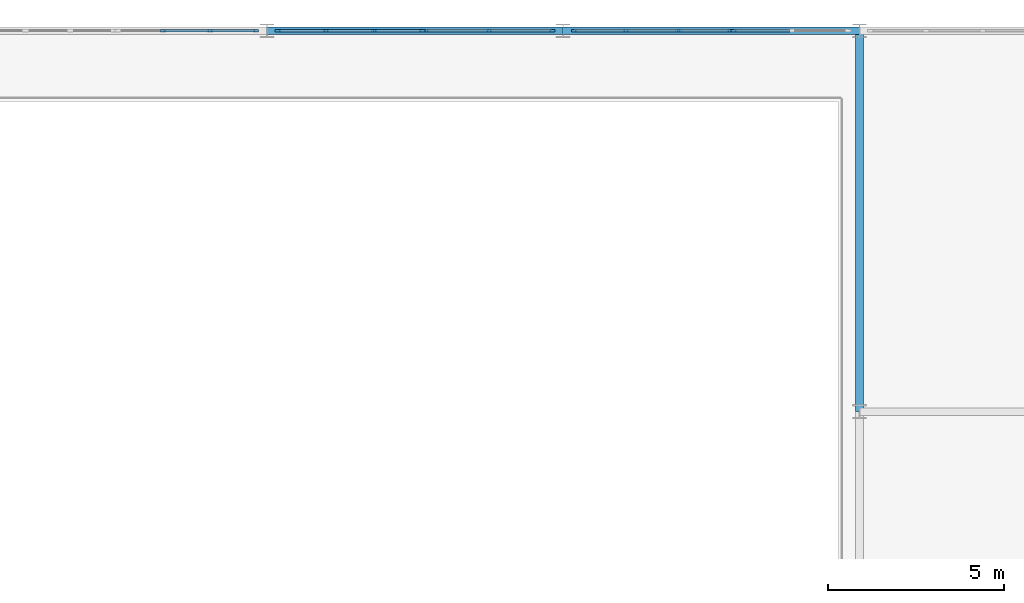
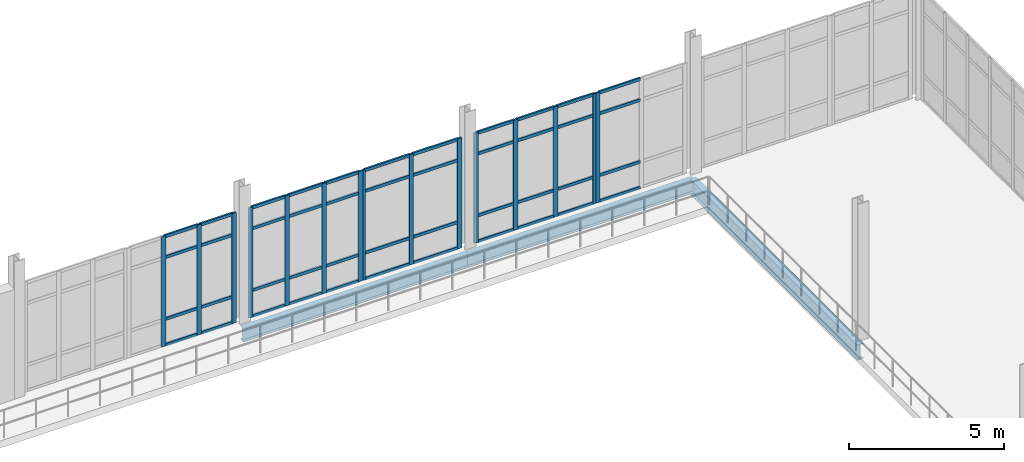
# One storey, part 59 of 111: 59 members, 3 beams, 5 elements without a shape of their own.
"""IFC4 building model written with IfcOpenShell, lengths in metres."""

from ifc_helpers import new_model, si_unit, direction, frame, origin, origin_2d, place, context, subcontext, project, spatial, rectangle, i_section, extrude, material, layer, layer_set, material_profile, profile_set, type_object, element, aggregate, save


model = new_model("IFC4")

# Units and contexts
model_context = context("Model", 3, precision=1e-05, world=origin(), true_north=direction((0.0, 1.0)))
body_context = subcontext(model_context, "Body", "Model", "MODEL_VIEW")
ifc_project = project(units=[si_unit("LENGTHUNIT", "METRE"), si_unit("AREAUNIT", "SQUARE_METRE"), si_unit("VOLUMEUNIT", "CUBIC_METRE"), si_unit("PLANEANGLEUNIT", "RADIAN"), si_unit("MASSUNIT", "GRAM", prefix="KILO"), si_unit("THERMODYNAMICTEMPERATUREUNIT", "KELVIN"), si_unit("POWERUNIT", "WATT")], contexts=[model_context])

# Site, building, storey
site_placement = place(None, origin())
site = spatial("IfcSite", under=ifc_project, at=site_placement, CompositionType="ELEMENT")
building_placement = place(site_placement, origin())
building = spatial("IfcBuilding", under=site, at=building_placement, Name="Tembeka Court Mobility Hub", CompositionType="ELEMENT")
storey_placement = place(building_placement, origin())
storey = spatial("IfcBuildingStorey", under=building, at=storey_placement, Name="L00", CompositionType="ELEMENT", Elevation=0.0)

# Beams
ifc_material_1 = material(Name="Steel S355", Category="steel")
ifc_material_profile_1 = material_profile(ifc_material_1, i_section(OverallWidth=0.22900390625, OverallDepth=0.612060546875, WebThickness=0.011962890625, FlangeThickness=0.01953125, FilletRadius=0.0126953125, at=origin_2d()), Name="UKB 610x229x125")
ifc_profile_set_1 = profile_set([ifc_material_profile_1], Name="Steel S355")
beam_type_1 = type_object("IfcBeamType", Name="BM-G02", PredefinedType="USERDEFINED", material=ifc_profile_set_1)
beam_1_placement = place(storey_placement, frame((84.0, 108.0, -0.5859375), z_axis=(0.0, 1.0, 0.0), x_axis=(-1.0, 0.0, 0.0)))
element("IfcBeam", 1, at=beam_1_placement, inside=storey, type_object=beam_type_1, Name="Beam G02 (BM-L00-Y0257)", ObjectType="GIRDER", PredefinedType="USERDEFINED", context=body_context, shape_type="SweptSolid", body=[
    extrude(i_section(OverallWidth=0.22900390625, OverallDepth=0.612060546875, WebThickness=0.011962890625, FlangeThickness=0.01953125, FilletRadius=0.0126953125, at=origin_2d()), origin(), (0.0, 0.0, 1.0), 10.800048828125),
])
ifc_material_profile_2 = material_profile(ifc_material_1, i_section(OverallWidth=0.2099609375, OverallDepth=0.537109375, WebThickness=0.0107421875, FlangeThickness=0.017333984375, FilletRadius=0.0126953125, at=origin_2d()), Name="UKB 533x210x101")
ifc_profile_set_2 = profile_set([ifc_material_profile_2], Name="Steel S355")
beam_type_2 = type_object("IfcBeamType", Name="BM-G03", PredefinedType="USERDEFINED", material=ifc_profile_set_2)
beam_2_placement = place(storey_placement, frame((67.199951171875, 118.800048828125, -0.548583984375), z_axis=(1.0, 0.0, 0.0), x_axis=(0.0, 1.0, 0.0)))
element("IfcBeam", 2, at=beam_2_placement, inside=storey, type_object=beam_type_2, Name="Beam G03 (BM-L00-X0160)", ObjectType="GIRDER", PredefinedType="USERDEFINED", context=body_context, shape_type="SweptSolid", body=[
    extrude(i_section(OverallWidth=0.2099609375, OverallDepth=0.537109375, WebThickness=0.0107421875, FlangeThickness=0.017333984375, FilletRadius=0.0126953125, at=origin_2d()), origin(), (0.0, 0.0, 1.0), 8.400146484375),
])
beam_3_placement = place(storey_placement, frame((75.60009765625, 118.800048828125, -0.548583984375), z_axis=(1.0, 0.0, 0.0), x_axis=(0.0, 1.0, 0.0)))
element("IfcBeam", 3, at=beam_3_placement, inside=storey, type_object=beam_type_2, Name="Beam G03 (BM-L00-X0161)", ObjectType="GIRDER", PredefinedType="USERDEFINED", context=body_context, shape_type="SweptSolid", body=[
    extrude(i_section(OverallWidth=0.2099609375, OverallDepth=0.537109375, WebThickness=0.0107421875, FlangeThickness=0.017333984375, FilletRadius=0.0126953125, at=origin_2d()), origin(), (0.0, 0.0, 1.0), 8.39990234375),
])

# Curtain wall, members
ifc_material_2 = material(Name="Anodised aluminium 6063-T6", Category="aluminium")
ifc_layer_1 = layer(ifc_material_2, 0.159912109375)
ifc_layer_set_1 = layer_set([ifc_layer_1], Name="Anodised aluminium 6063-T6")
curtain_wall_type_1 = type_object("IfcCurtainWallType", Name="CW-SYS13", PredefinedType="USERDEFINED", material=ifc_layer_set_1)
curtain_wall_1_placement = place(storey_placement, origin())
curtain_wall_1 = element("IfcCurtainWall", 4, at=curtain_wall_1_placement, inside=storey, type_object=curtain_wall_type_1, Name="Unitised curtain wall CW13 (CW-L00-015)", ObjectType="UNITISED GLAZING", PredefinedType="USERDEFINED")
ifc_material_profile_3 = material_profile(ifc_material_2, rectangle(XDim=0.06494140625, YDim=0.159912109375, at=origin_2d()), Name="ALU-MUL 65x160")
ifc_profile_set_3 = profile_set([ifc_material_profile_3], Name="Anodised aluminium 6063-T6")
member_type_1 = type_object("IfcMemberType", Name="CW-MUL01", PredefinedType="MULLION", material=ifc_profile_set_3)
member_1_placement = place(storey_placement, frame((64.263916015625, 118.800048828125, 0.0), z_axis=(0.0, 0.0, 1.0), x_axis=(0.0, 1.0, 0.0)))
member_1 = element("IfcMember", 5, at=member_1_placement, type_object=member_type_1, Name="CW13 mullion 2", PredefinedType="MULLION", context=body_context, shape_type="SweptSolid", body=[
    extrude(rectangle(XDim=0.06494140625, YDim=0.159912109375, at=origin_2d()), origin(), (0.0, 0.0, 1.0), 4.3349609375),
])
member_2_placement = place(storey_placement, frame((65.592041015625, 118.800048828125, 0.0), z_axis=(0.0, 0.0, 1.0), x_axis=(0.0, 1.0, 0.0)))
member_2 = element("IfcMember", 6, at=member_2_placement, type_object=member_type_1, Name="CW13 mullion 3", PredefinedType="MULLION", context=body_context, shape_type="SweptSolid", body=[
    extrude(rectangle(XDim=0.06494140625, YDim=0.159912109375, at=origin_2d()), origin(), (0.0, 0.0, 1.0), 4.3349609375),
])
member_3_placement = place(storey_placement, frame((66.887451171875, 118.800048828125, 0.0), z_axis=(0.0, 0.0, 1.0), x_axis=(0.0, 1.0, 0.0)))
member_3 = element("IfcMember", 7, at=member_3_placement, type_object=member_type_1, Name="CW13 mullion 4", PredefinedType="MULLION", context=body_context, shape_type="SweptSolid", body=[
    extrude(rectangle(XDim=0.06494140625, YDim=0.159912109375, at=origin_2d()), origin(), (0.0, 0.0, 1.0), 4.3349609375),
])

ifc_layer_2 = layer(ifc_material_2, 0.159912109375)
ifc_layer_set_2 = layer_set([ifc_layer_2], Name="Anodised aluminium 6063-T6")
curtain_wall_type_2 = type_object("IfcCurtainWallType", Name="CW-SYS14", PredefinedType="USERDEFINED", material=ifc_layer_set_2)
curtain_wall_2_placement = place(storey_placement, origin())
curtain_wall_2 = element("IfcCurtainWall", 8, at=curtain_wall_2_placement, inside=storey, type_object=curtain_wall_type_2, Name="Unitised curtain wall CW14 (CW-L00-016)", ObjectType="UNITISED GLAZING", PredefinedType="USERDEFINED")
member_4_placement = place(storey_placement, frame((67.512451171875, 118.800048828125, 0.0), z_axis=(0.0, 0.0, 1.0), x_axis=(0.0, 1.0, 0.0)))
member_4 = element("IfcMember", 9, at=member_4_placement, type_object=member_type_1, Name="CW14 mullion 1", PredefinedType="MULLION", context=body_context, shape_type="SweptSolid", body=[
    extrude(rectangle(XDim=0.06494140625, YDim=0.159912109375, at=origin_2d()), origin(), (0.0, 0.0, 1.0), 4.3349609375),
])
member_5_placement = place(storey_placement, frame((68.864013671875, 118.800048828125, 0.0), z_axis=(0.0, 0.0, 1.0), x_axis=(0.0, 1.0, 0.0)))
member_5 = element("IfcMember", 10, at=member_5_placement, type_object=member_type_1, Name="CW14 mullion 2", PredefinedType="MULLION", context=body_context, shape_type="SweptSolid", body=[
    extrude(rectangle(XDim=0.06494140625, YDim=0.159912109375, at=origin_2d()), origin(), (0.0, 0.0, 1.0), 4.3349609375),
])
member_6_placement = place(storey_placement, frame((70.248046875, 118.800048828125, 0.0), z_axis=(0.0, 0.0, 1.0), x_axis=(0.0, 1.0, 0.0)))
member_6 = element("IfcMember", 11, at=member_6_placement, type_object=member_type_1, Name="CW14 mullion 3", PredefinedType="MULLION", context=body_context, shape_type="SweptSolid", body=[
    extrude(rectangle(XDim=0.06494140625, YDim=0.159912109375, at=origin_2d()), origin(), (0.0, 0.0, 1.0), 4.3349609375),
])
member_7_placement = place(storey_placement, frame((71.599609375, 118.800048828125, 0.0), z_axis=(0.0, 0.0, 1.0), x_axis=(0.0, 1.0, 0.0)))
member_7 = element("IfcMember", 12, at=member_7_placement, type_object=member_type_1, Name="CW14 mullion 4", PredefinedType="MULLION", context=body_context, shape_type="SweptSolid", body=[
    extrude(rectangle(XDim=0.06494140625, YDim=0.159912109375, at=origin_2d()), origin(), (0.0, 0.0, 1.0), 4.3349609375),
])

ifc_layer_3 = layer(ifc_material_2, 0.159912109375)
ifc_layer_set_3 = layer_set([ifc_layer_3], Name="Anodised aluminium 6063-T6")
curtain_wall_type_3 = type_object("IfcCurtainWallType", Name="CW-SYS15", PredefinedType="USERDEFINED", material=ifc_layer_set_3)
curtain_wall_3_placement = place(storey_placement, origin())
curtain_wall_3 = element("IfcCurtainWall", 13, at=curtain_wall_3_placement, inside=storey, type_object=curtain_wall_type_3, Name="Unitised curtain wall CW15 (CW-L00-017)", ObjectType="UNITISED GLAZING", PredefinedType="USERDEFINED")
member_8_placement = place(storey_placement, frame((71.70458984375, 118.800048828125, 0.0), z_axis=(0.0, 0.0, 1.0), x_axis=(0.0, 1.0, 0.0)))
member_8 = element("IfcMember", 14, at=member_8_placement, type_object=member_type_1, Name="CW15 mullion 1", PredefinedType="MULLION", context=body_context, shape_type="SweptSolid", body=[
    extrude(rectangle(XDim=0.06494140625, YDim=0.159912109375, at=origin_2d()), origin(), (0.0, 0.0, 1.0), 4.3349609375),
])
member_9_placement = place(storey_placement, frame((73.49609375, 118.800048828125, 0.0), z_axis=(0.0, 0.0, 1.0), x_axis=(0.0, 1.0, 0.0)))
member_9 = element("IfcMember", 15, at=member_9_placement, type_object=member_type_1, Name="CW15 mullion 2", PredefinedType="MULLION", context=body_context, shape_type="SweptSolid", body=[
    extrude(rectangle(XDim=0.06494140625, YDim=0.159912109375, at=origin_2d()), origin(), (0.0, 0.0, 1.0), 4.3349609375),
])
member_10_placement = place(storey_placement, frame((75.28759765625, 118.800048828125, 0.0), z_axis=(0.0, 0.0, 1.0), x_axis=(0.0, 1.0, 0.0)))
member_10 = element("IfcMember", 16, at=member_10_placement, type_object=member_type_1, Name="CW15 mullion 3", PredefinedType="MULLION", context=body_context, shape_type="SweptSolid", body=[
    extrude(rectangle(XDim=0.06494140625, YDim=0.159912109375, at=origin_2d()), origin(), (0.0, 0.0, 1.0), 4.3349609375),
])

ifc_layer_4 = layer(ifc_material_2, 0.159912109375)
ifc_layer_set_4 = layer_set([ifc_layer_4], Name="Anodised aluminium 6063-T6")
curtain_wall_type_4 = type_object("IfcCurtainWallType", Name="CW-SYS03", PredefinedType="USERDEFINED", material=ifc_layer_set_4)
curtain_wall_4_placement = place(storey_placement, origin())
curtain_wall_4 = element("IfcCurtainWall", 17, at=curtain_wall_4_placement, inside=storey, type_object=curtain_wall_type_4, Name="Unitised curtain wall CW03 (CW-L00-018)", ObjectType="UNITISED GLAZING", PredefinedType="USERDEFINED")
member_11_placement = place(storey_placement, frame((75.91259765625, 118.800048828125, 0.0), z_axis=(0.0, 0.0, 1.0), x_axis=(0.0, 1.0, 0.0)))
member_11 = element("IfcMember", 18, at=member_11_placement, type_object=member_type_1, Name="CW03 mullion 1", PredefinedType="MULLION", context=body_context, shape_type="SweptSolid", body=[
    extrude(rectangle(XDim=0.06494140625, YDim=0.159912109375, at=origin_2d()), origin(), (0.0, 0.0, 1.0), 4.3349609375),
])
member_12_placement = place(storey_placement, frame((77.3759765625, 118.800048828125, 0.0), z_axis=(0.0, 0.0, 1.0), x_axis=(0.0, 1.0, 0.0)))
member_12 = element("IfcMember", 19, at=member_12_placement, type_object=member_type_1, Name="CW03 mullion 2", PredefinedType="MULLION", context=body_context, shape_type="SweptSolid", body=[
    extrude(rectangle(XDim=0.06494140625, YDim=0.159912109375, at=origin_2d()), origin(), (0.0, 0.0, 1.0), 4.3349609375),
])
member_13_placement = place(storey_placement, frame((78.8720703125, 118.800048828125, 0.0), z_axis=(0.0, 0.0, 1.0), x_axis=(0.0, 1.0, 0.0)))
member_13 = element("IfcMember", 20, at=member_13_placement, type_object=member_type_1, Name="CW03 mullion 3", PredefinedType="MULLION", context=body_context, shape_type="SweptSolid", body=[
    extrude(rectangle(XDim=0.06494140625, YDim=0.159912109375, at=origin_2d()), origin(), (0.0, 0.0, 1.0), 4.3349609375),
])
member_14_placement = place(storey_placement, frame((80.33544921875, 118.800048828125, 0.0), z_axis=(0.0, 0.0, 1.0), x_axis=(0.0, 1.0, 0.0)))
member_14 = element("IfcMember", 21, at=member_14_placement, type_object=member_type_1, Name="CW03 mullion 4", PredefinedType="MULLION", context=body_context, shape_type="SweptSolid", body=[
    extrude(rectangle(XDim=0.06494140625, YDim=0.159912109375, at=origin_2d()), origin(), (0.0, 0.0, 1.0), 4.3349609375),
])

# Curtain wall, member
ifc_layer_5 = layer(ifc_material_2, 0.159912109375)
ifc_layer_set_5 = layer_set([ifc_layer_5], Name="Anodised aluminium 6063-T6")
curtain_wall_type_5 = type_object("IfcCurtainWallType", Name="CW-SYS02", PredefinedType="USERDEFINED", material=ifc_layer_set_5)
curtain_wall_5_placement = place(storey_placement, origin())
curtain_wall_5 = element("IfcCurtainWall", 22, at=curtain_wall_5_placement, inside=storey, type_object=curtain_wall_type_5, Name="Unitised curtain wall CW02 (CW-L00-019)", ObjectType="UNITISED GLAZING", PredefinedType="USERDEFINED")
member_15_placement = place(storey_placement, frame((80.4404296875, 118.800048828125, 0.0), z_axis=(0.0, 0.0, 1.0), x_axis=(0.0, 1.0, 0.0)))
member_15 = element("IfcMember", 23, at=member_15_placement, type_object=member_type_1, Name="CW02 mullion 1", PredefinedType="MULLION", context=body_context, shape_type="SweptSolid", body=[
    extrude(rectangle(XDim=0.06494140625, YDim=0.159912109375, at=origin_2d()), origin(), (0.0, 0.0, 1.0), 4.3349609375),
])

# Member
ifc_material_profile_4 = material_profile(ifc_material_2, rectangle(XDim=0.06494140625, YDim=0.1201171875, at=origin_2d()), Name="ALU-TRN 65x120")
ifc_profile_set_4 = profile_set([ifc_material_profile_4], Name="Anodised aluminium 6063-T6")
member_type_2 = type_object("IfcMemberType", Name="CW-TRN01", PredefinedType="USERDEFINED", material=ifc_profile_set_4)
member_16_placement = place(storey_placement, frame((64.29638671875, 118.800048828125, 0.032470703125), z_axis=(1.0, 0.0, 0.0), x_axis=(0.0, 1.0, 0.0)))
member_16 = element("IfcMember", 24, at=member_16_placement, type_object=member_type_2, Name="CW13 transom 2.1", ObjectType="TRANSOM", PredefinedType="USERDEFINED", context=body_context, shape_type="SweptSolid", body=[
    extrude(rectangle(XDim=0.06494140625, YDim=0.1201171875, at=origin_2d()), origin(), (0.0, 0.0, 1.0), 1.26318359375),
])

member_17_placement = place(storey_placement, frame((64.29638671875, 118.800048828125, 1.050048828125), z_axis=(1.0, 0.0, 0.0), x_axis=(0.0, 1.0, 0.0)))
member_17 = element("IfcMember", 25, at=member_17_placement, type_object=member_type_2, Name="CW13 transom 2.2", ObjectType="TRANSOM", PredefinedType="USERDEFINED", context=body_context, shape_type="SweptSolid", body=[
    extrude(rectangle(XDim=0.06494140625, YDim=0.1201171875, at=origin_2d()), origin(), (0.0, 0.0, 1.0), 1.26318359375),
])

member_18_placement = place(storey_placement, frame((64.29638671875, 118.800048828125, 3.485107421875), z_axis=(1.0, 0.0, 0.0), x_axis=(0.0, 1.0, 0.0)))
member_18 = element("IfcMember", 26, at=member_18_placement, type_object=member_type_2, Name="CW13 transom 2.3", ObjectType="TRANSOM", PredefinedType="USERDEFINED", context=body_context, shape_type="SweptSolid", body=[
    extrude(rectangle(XDim=0.06494140625, YDim=0.1201171875, at=origin_2d()), origin(), (0.0, 0.0, 1.0), 1.26318359375),
])

member_19_placement = place(storey_placement, frame((64.29638671875, 118.800048828125, 4.302490234375), z_axis=(1.0, 0.0, 0.0), x_axis=(0.0, 1.0, 0.0)))
member_19 = element("IfcMember", 27, at=member_19_placement, type_object=member_type_2, Name="CW13 transom 2.4", ObjectType="TRANSOM", PredefinedType="USERDEFINED", context=body_context, shape_type="SweptSolid", body=[
    extrude(rectangle(XDim=0.06494140625, YDim=0.1201171875, at=origin_2d()), origin(), (0.0, 0.0, 1.0), 1.26318359375),
])

member_20_placement = place(storey_placement, frame((65.62451171875, 118.800048828125, 0.032470703125), z_axis=(1.0, 0.0, 0.0), x_axis=(0.0, 1.0, 0.0)))
member_20 = element("IfcMember", 28, at=member_20_placement, type_object=member_type_2, Name="CW13 transom 3.1", ObjectType="TRANSOM", PredefinedType="USERDEFINED", context=body_context, shape_type="SweptSolid", body=[
    extrude(rectangle(XDim=0.06494140625, YDim=0.1201171875, at=origin_2d()), origin(), (0.0, 0.0, 1.0), 1.23046875),
])

member_21_placement = place(storey_placement, frame((65.62451171875, 118.800048828125, 1.050048828125), z_axis=(1.0, 0.0, 0.0), x_axis=(0.0, 1.0, 0.0)))
member_21 = element("IfcMember", 29, at=member_21_placement, type_object=member_type_2, Name="CW13 transom 3.2", ObjectType="TRANSOM", PredefinedType="USERDEFINED", context=body_context, shape_type="SweptSolid", body=[
    extrude(rectangle(XDim=0.06494140625, YDim=0.1201171875, at=origin_2d()), origin(), (0.0, 0.0, 1.0), 1.23046875),
])

member_22_placement = place(storey_placement, frame((65.62451171875, 118.800048828125, 3.485107421875), z_axis=(1.0, 0.0, 0.0), x_axis=(0.0, 1.0, 0.0)))
member_22 = element("IfcMember", 30, at=member_22_placement, type_object=member_type_2, Name="CW13 transom 3.3", ObjectType="TRANSOM", PredefinedType="USERDEFINED", context=body_context, shape_type="SweptSolid", body=[
    extrude(rectangle(XDim=0.06494140625, YDim=0.1201171875, at=origin_2d()), origin(), (0.0, 0.0, 1.0), 1.23046875),
])

member_23_placement = place(storey_placement, frame((65.62451171875, 118.800048828125, 4.302490234375), z_axis=(1.0, 0.0, 0.0), x_axis=(0.0, 1.0, 0.0)))
member_23 = element("IfcMember", 31, at=member_23_placement, type_object=member_type_2, Name="CW13 transom 3.4", ObjectType="TRANSOM", PredefinedType="USERDEFINED", context=body_context, shape_type="SweptSolid", body=[
    extrude(rectangle(XDim=0.06494140625, YDim=0.1201171875, at=origin_2d()), origin(), (0.0, 0.0, 1.0), 1.23046875),
])

aggregate(curtain_wall_1, [member_1, member_2, member_3, member_16, member_17, member_18, member_19, member_20, member_21, member_22, member_23])

member_24_placement = place(storey_placement, frame((67.544921875, 118.800048828125, 0.032470703125), z_axis=(1.0, 0.0, 0.0), x_axis=(0.0, 1.0, 0.0)))
member_24 = element("IfcMember", 32, at=member_24_placement, type_object=member_type_2, Name="CW14 transom 1.1", ObjectType="TRANSOM", PredefinedType="USERDEFINED", context=body_context, shape_type="SweptSolid", body=[
    extrude(rectangle(XDim=0.06494140625, YDim=0.1201171875, at=origin_2d()), origin(), (0.0, 0.0, 1.0), 1.28662109375),
])

member_25_placement = place(storey_placement, frame((67.544921875, 118.800048828125, 1.050048828125), z_axis=(1.0, 0.0, 0.0), x_axis=(0.0, 1.0, 0.0)))
member_25 = element("IfcMember", 33, at=member_25_placement, type_object=member_type_2, Name="CW14 transom 1.2", ObjectType="TRANSOM", PredefinedType="USERDEFINED", context=body_context, shape_type="SweptSolid", body=[
    extrude(rectangle(XDim=0.06494140625, YDim=0.1201171875, at=origin_2d()), origin(), (0.0, 0.0, 1.0), 1.28662109375),
])

member_26_placement = place(storey_placement, frame((67.544921875, 118.800048828125, 3.485107421875), z_axis=(1.0, 0.0, 0.0), x_axis=(0.0, 1.0, 0.0)))
member_26 = element("IfcMember", 34, at=member_26_placement, type_object=member_type_2, Name="CW14 transom 1.3", ObjectType="TRANSOM", PredefinedType="USERDEFINED", context=body_context, shape_type="SweptSolid", body=[
    extrude(rectangle(XDim=0.06494140625, YDim=0.1201171875, at=origin_2d()), origin(), (0.0, 0.0, 1.0), 1.28662109375),
])

member_27_placement = place(storey_placement, frame((67.544921875, 118.800048828125, 4.302490234375), z_axis=(1.0, 0.0, 0.0), x_axis=(0.0, 1.0, 0.0)))
member_27 = element("IfcMember", 35, at=member_27_placement, type_object=member_type_2, Name="CW14 transom 1.4", ObjectType="TRANSOM", PredefinedType="USERDEFINED", context=body_context, shape_type="SweptSolid", body=[
    extrude(rectangle(XDim=0.06494140625, YDim=0.1201171875, at=origin_2d()), origin(), (0.0, 0.0, 1.0), 1.28662109375),
])

member_28_placement = place(storey_placement, frame((68.896484375, 118.800048828125, 0.032470703125), z_axis=(1.0, 0.0, 0.0), x_axis=(0.0, 1.0, 0.0)))
member_28 = element("IfcMember", 36, at=member_28_placement, type_object=member_type_2, Name="CW14 transom 2.1", ObjectType="TRANSOM", PredefinedType="USERDEFINED", context=body_context, shape_type="SweptSolid", body=[
    extrude(rectangle(XDim=0.06494140625, YDim=0.1201171875, at=origin_2d()), origin(), (0.0, 0.0, 1.0), 1.319091796875),
])

member_29_placement = place(storey_placement, frame((68.896484375, 118.800048828125, 1.050048828125), z_axis=(1.0, 0.0, 0.0), x_axis=(0.0, 1.0, 0.0)))
member_29 = element("IfcMember", 37, at=member_29_placement, type_object=member_type_2, Name="CW14 transom 2.2", ObjectType="TRANSOM", PredefinedType="USERDEFINED", context=body_context, shape_type="SweptSolid", body=[
    extrude(rectangle(XDim=0.06494140625, YDim=0.1201171875, at=origin_2d()), origin(), (0.0, 0.0, 1.0), 1.319091796875),
])

member_30_placement = place(storey_placement, frame((68.896484375, 118.800048828125, 3.485107421875), z_axis=(1.0, 0.0, 0.0), x_axis=(0.0, 1.0, 0.0)))
member_30 = element("IfcMember", 38, at=member_30_placement, type_object=member_type_2, Name="CW14 transom 2.3", ObjectType="TRANSOM", PredefinedType="USERDEFINED", context=body_context, shape_type="SweptSolid", body=[
    extrude(rectangle(XDim=0.06494140625, YDim=0.1201171875, at=origin_2d()), origin(), (0.0, 0.0, 1.0), 1.319091796875),
])

member_31_placement = place(storey_placement, frame((68.896484375, 118.800048828125, 4.302490234375), z_axis=(1.0, 0.0, 0.0), x_axis=(0.0, 1.0, 0.0)))
member_31 = element("IfcMember", 39, at=member_31_placement, type_object=member_type_2, Name="CW14 transom 2.4", ObjectType="TRANSOM", PredefinedType="USERDEFINED", context=body_context, shape_type="SweptSolid", body=[
    extrude(rectangle(XDim=0.06494140625, YDim=0.1201171875, at=origin_2d()), origin(), (0.0, 0.0, 1.0), 1.319091796875),
])

member_32_placement = place(storey_placement, frame((70.280517578125, 118.800048828125, 0.032470703125), z_axis=(1.0, 0.0, 0.0), x_axis=(0.0, 1.0, 0.0)))
member_32 = element("IfcMember", 40, at=member_32_placement, type_object=member_type_2, Name="CW14 transom 3.1", ObjectType="TRANSOM", PredefinedType="USERDEFINED", context=body_context, shape_type="SweptSolid", body=[
    extrude(rectangle(XDim=0.06494140625, YDim=0.1201171875, at=origin_2d()), origin(), (0.0, 0.0, 1.0), 1.286376953125),
])

member_33_placement = place(storey_placement, frame((70.280517578125, 118.800048828125, 1.050048828125), z_axis=(1.0, 0.0, 0.0), x_axis=(0.0, 1.0, 0.0)))
member_33 = element("IfcMember", 41, at=member_33_placement, type_object=member_type_2, Name="CW14 transom 3.2", ObjectType="TRANSOM", PredefinedType="USERDEFINED", context=body_context, shape_type="SweptSolid", body=[
    extrude(rectangle(XDim=0.06494140625, YDim=0.1201171875, at=origin_2d()), origin(), (0.0, 0.0, 1.0), 1.286376953125),
])

member_34_placement = place(storey_placement, frame((70.280517578125, 118.800048828125, 3.485107421875), z_axis=(1.0, 0.0, 0.0), x_axis=(0.0, 1.0, 0.0)))
member_34 = element("IfcMember", 42, at=member_34_placement, type_object=member_type_2, Name="CW14 transom 3.3", ObjectType="TRANSOM", PredefinedType="USERDEFINED", context=body_context, shape_type="SweptSolid", body=[
    extrude(rectangle(XDim=0.06494140625, YDim=0.1201171875, at=origin_2d()), origin(), (0.0, 0.0, 1.0), 1.286376953125),
])

member_35_placement = place(storey_placement, frame((70.280517578125, 118.800048828125, 4.302490234375), z_axis=(1.0, 0.0, 0.0), x_axis=(0.0, 1.0, 0.0)))
member_35 = element("IfcMember", 43, at=member_35_placement, type_object=member_type_2, Name="CW14 transom 3.4", ObjectType="TRANSOM", PredefinedType="USERDEFINED", context=body_context, shape_type="SweptSolid", body=[
    extrude(rectangle(XDim=0.06494140625, YDim=0.1201171875, at=origin_2d()), origin(), (0.0, 0.0, 1.0), 1.286376953125),
])

aggregate(curtain_wall_2, [member_4, member_5, member_6, member_7, member_24, member_25, member_26, member_27, member_28, member_29, member_30, member_31, member_32, member_33, member_34, member_35])

member_36_placement = place(storey_placement, frame((71.737060546875, 118.800048828125, 0.032470703125), z_axis=(1.0, 0.0, 0.0), x_axis=(0.0, 1.0, 0.0)))
member_36 = element("IfcMember", 44, at=member_36_placement, type_object=member_type_2, Name="CW15 transom 1.1", ObjectType="TRANSOM", PredefinedType="USERDEFINED", context=body_context, shape_type="SweptSolid", body=[
    extrude(rectangle(XDim=0.06494140625, YDim=0.1201171875, at=origin_2d()), origin(), (0.0, 0.0, 1.0), 1.726318359375),
])

member_37_placement = place(storey_placement, frame((71.737060546875, 118.800048828125, 1.050048828125), z_axis=(1.0, 0.0, 0.0), x_axis=(0.0, 1.0, 0.0)))
member_37 = element("IfcMember", 45, at=member_37_placement, type_object=member_type_2, Name="CW15 transom 1.2", ObjectType="TRANSOM", PredefinedType="USERDEFINED", context=body_context, shape_type="SweptSolid", body=[
    extrude(rectangle(XDim=0.06494140625, YDim=0.1201171875, at=origin_2d()), origin(), (0.0, 0.0, 1.0), 1.726318359375),
])

member_38_placement = place(storey_placement, frame((71.737060546875, 118.800048828125, 3.485107421875), z_axis=(1.0, 0.0, 0.0), x_axis=(0.0, 1.0, 0.0)))
member_38 = element("IfcMember", 46, at=member_38_placement, type_object=member_type_2, Name="CW15 transom 1.3", ObjectType="TRANSOM", PredefinedType="USERDEFINED", context=body_context, shape_type="SweptSolid", body=[
    extrude(rectangle(XDim=0.06494140625, YDim=0.1201171875, at=origin_2d()), origin(), (0.0, 0.0, 1.0), 1.726318359375),
])

member_39_placement = place(storey_placement, frame((71.737060546875, 118.800048828125, 4.302490234375), z_axis=(1.0, 0.0, 0.0), x_axis=(0.0, 1.0, 0.0)))
member_39 = element("IfcMember", 47, at=member_39_placement, type_object=member_type_2, Name="CW15 transom 1.4", ObjectType="TRANSOM", PredefinedType="USERDEFINED", context=body_context, shape_type="SweptSolid", body=[
    extrude(rectangle(XDim=0.06494140625, YDim=0.1201171875, at=origin_2d()), origin(), (0.0, 0.0, 1.0), 1.726318359375),
])

member_40_placement = place(storey_placement, frame((73.528564453125, 118.800048828125, 0.032470703125), z_axis=(1.0, 0.0, 0.0), x_axis=(0.0, 1.0, 0.0)))
member_40 = element("IfcMember", 48, at=member_40_placement, type_object=member_type_2, Name="CW15 transom 2.1", ObjectType="TRANSOM", PredefinedType="USERDEFINED", context=body_context, shape_type="SweptSolid", body=[
    extrude(rectangle(XDim=0.06494140625, YDim=0.1201171875, at=origin_2d()), origin(), (0.0, 0.0, 1.0), 1.726318359375),
])

member_41_placement = place(storey_placement, frame((73.528564453125, 118.800048828125, 1.050048828125), z_axis=(1.0, 0.0, 0.0), x_axis=(0.0, 1.0, 0.0)))
member_41 = element("IfcMember", 49, at=member_41_placement, type_object=member_type_2, Name="CW15 transom 2.2", ObjectType="TRANSOM", PredefinedType="USERDEFINED", context=body_context, shape_type="SweptSolid", body=[
    extrude(rectangle(XDim=0.06494140625, YDim=0.1201171875, at=origin_2d()), origin(), (0.0, 0.0, 1.0), 1.726318359375),
])

member_42_placement = place(storey_placement, frame((73.528564453125, 118.800048828125, 3.485107421875), z_axis=(1.0, 0.0, 0.0), x_axis=(0.0, 1.0, 0.0)))
member_42 = element("IfcMember", 50, at=member_42_placement, type_object=member_type_2, Name="CW15 transom 2.3", ObjectType="TRANSOM", PredefinedType="USERDEFINED", context=body_context, shape_type="SweptSolid", body=[
    extrude(rectangle(XDim=0.06494140625, YDim=0.1201171875, at=origin_2d()), origin(), (0.0, 0.0, 1.0), 1.726318359375),
])

member_43_placement = place(storey_placement, frame((73.528564453125, 118.800048828125, 4.302490234375), z_axis=(1.0, 0.0, 0.0), x_axis=(0.0, 1.0, 0.0)))
member_43 = element("IfcMember", 51, at=member_43_placement, type_object=member_type_2, Name="CW15 transom 2.4", ObjectType="TRANSOM", PredefinedType="USERDEFINED", context=body_context, shape_type="SweptSolid", body=[
    extrude(rectangle(XDim=0.06494140625, YDim=0.1201171875, at=origin_2d()), origin(), (0.0, 0.0, 1.0), 1.726318359375),
])

aggregate(curtain_wall_3, [member_8, member_9, member_10, member_36, member_37, member_38, member_39, member_40, member_41, member_42, member_43])

member_44_placement = place(storey_placement, frame((75.945068359375, 118.800048828125, 0.032470703125), z_axis=(1.0, 0.0, 0.0), x_axis=(0.0, 1.0, 0.0)))
member_44 = element("IfcMember", 52, at=member_44_placement, type_object=member_type_2, Name="CW03 transom 1.1", ObjectType="TRANSOM", PredefinedType="USERDEFINED", context=body_context, shape_type="SweptSolid", body=[
    extrude(rectangle(XDim=0.06494140625, YDim=0.1201171875, at=origin_2d()), origin(), (0.0, 0.0, 1.0), 1.3984375),
])

member_45_placement = place(storey_placement, frame((75.945068359375, 118.800048828125, 1.050048828125), z_axis=(1.0, 0.0, 0.0), x_axis=(0.0, 1.0, 0.0)))
member_45 = element("IfcMember", 53, at=member_45_placement, type_object=member_type_2, Name="CW03 transom 1.2", ObjectType="TRANSOM", PredefinedType="USERDEFINED", context=body_context, shape_type="SweptSolid", body=[
    extrude(rectangle(XDim=0.06494140625, YDim=0.1201171875, at=origin_2d()), origin(), (0.0, 0.0, 1.0), 1.3984375),
])

member_46_placement = place(storey_placement, frame((75.945068359375, 118.800048828125, 3.485107421875), z_axis=(1.0, 0.0, 0.0), x_axis=(0.0, 1.0, 0.0)))
member_46 = element("IfcMember", 54, at=member_46_placement, type_object=member_type_2, Name="CW03 transom 1.3", ObjectType="TRANSOM", PredefinedType="USERDEFINED", context=body_context, shape_type="SweptSolid", body=[
    extrude(rectangle(XDim=0.06494140625, YDim=0.1201171875, at=origin_2d()), origin(), (0.0, 0.0, 1.0), 1.3984375),
])

member_47_placement = place(storey_placement, frame((75.945068359375, 118.800048828125, 4.302490234375), z_axis=(1.0, 0.0, 0.0), x_axis=(0.0, 1.0, 0.0)))
member_47 = element("IfcMember", 55, at=member_47_placement, type_object=member_type_2, Name="CW03 transom 1.4", ObjectType="TRANSOM", PredefinedType="USERDEFINED", context=body_context, shape_type="SweptSolid", body=[
    extrude(rectangle(XDim=0.06494140625, YDim=0.1201171875, at=origin_2d()), origin(), (0.0, 0.0, 1.0), 1.3984375),
])

member_48_placement = place(storey_placement, frame((77.408447265625, 118.800048828125, 0.032470703125), z_axis=(1.0, 0.0, 0.0), x_axis=(0.0, 1.0, 0.0)))
member_48 = element("IfcMember", 56, at=member_48_placement, type_object=member_type_2, Name="CW03 transom 2.1", ObjectType="TRANSOM", PredefinedType="USERDEFINED", context=body_context, shape_type="SweptSolid", body=[
    extrude(rectangle(XDim=0.06494140625, YDim=0.1201171875, at=origin_2d()), origin(), (0.0, 0.0, 1.0), 1.43115234375),
])

member_49_placement = place(storey_placement, frame((77.408447265625, 118.800048828125, 1.050048828125), z_axis=(1.0, 0.0, 0.0), x_axis=(0.0, 1.0, 0.0)))
member_49 = element("IfcMember", 57, at=member_49_placement, type_object=member_type_2, Name="CW03 transom 2.2", ObjectType="TRANSOM", PredefinedType="USERDEFINED", context=body_context, shape_type="SweptSolid", body=[
    extrude(rectangle(XDim=0.06494140625, YDim=0.1201171875, at=origin_2d()), origin(), (0.0, 0.0, 1.0), 1.43115234375),
])

member_50_placement = place(storey_placement, frame((77.408447265625, 118.800048828125, 3.485107421875), z_axis=(1.0, 0.0, 0.0), x_axis=(0.0, 1.0, 0.0)))
member_50 = element("IfcMember", 58, at=member_50_placement, type_object=member_type_2, Name="CW03 transom 2.3", ObjectType="TRANSOM", PredefinedType="USERDEFINED", context=body_context, shape_type="SweptSolid", body=[
    extrude(rectangle(XDim=0.06494140625, YDim=0.1201171875, at=origin_2d()), origin(), (0.0, 0.0, 1.0), 1.43115234375),
])

member_51_placement = place(storey_placement, frame((77.408447265625, 118.800048828125, 4.302490234375), z_axis=(1.0, 0.0, 0.0), x_axis=(0.0, 1.0, 0.0)))
member_51 = element("IfcMember", 59, at=member_51_placement, type_object=member_type_2, Name="CW03 transom 2.4", ObjectType="TRANSOM", PredefinedType="USERDEFINED", context=body_context, shape_type="SweptSolid", body=[
    extrude(rectangle(XDim=0.06494140625, YDim=0.1201171875, at=origin_2d()), origin(), (0.0, 0.0, 1.0), 1.43115234375),
])

member_52_placement = place(storey_placement, frame((78.904541015625, 118.800048828125, 0.032470703125), z_axis=(1.0, 0.0, 0.0), x_axis=(0.0, 1.0, 0.0)))
member_52 = element("IfcMember", 60, at=member_52_placement, type_object=member_type_2, Name="CW03 transom 3.1", ObjectType="TRANSOM", PredefinedType="USERDEFINED", context=body_context, shape_type="SweptSolid", body=[
    extrude(rectangle(XDim=0.06494140625, YDim=0.1201171875, at=origin_2d()), origin(), (0.0, 0.0, 1.0), 1.3984375),
])

member_53_placement = place(storey_placement, frame((78.904541015625, 118.800048828125, 1.050048828125), z_axis=(1.0, 0.0, 0.0), x_axis=(0.0, 1.0, 0.0)))
member_53 = element("IfcMember", 61, at=member_53_placement, type_object=member_type_2, Name="CW03 transom 3.2", ObjectType="TRANSOM", PredefinedType="USERDEFINED", context=body_context, shape_type="SweptSolid", body=[
    extrude(rectangle(XDim=0.06494140625, YDim=0.1201171875, at=origin_2d()), origin(), (0.0, 0.0, 1.0), 1.3984375),
])

member_54_placement = place(storey_placement, frame((78.904541015625, 118.800048828125, 3.485107421875), z_axis=(1.0, 0.0, 0.0), x_axis=(0.0, 1.0, 0.0)))
member_54 = element("IfcMember", 62, at=member_54_placement, type_object=member_type_2, Name="CW03 transom 3.3", ObjectType="TRANSOM", PredefinedType="USERDEFINED", context=body_context, shape_type="SweptSolid", body=[
    extrude(rectangle(XDim=0.06494140625, YDim=0.1201171875, at=origin_2d()), origin(), (0.0, 0.0, 1.0), 1.3984375),
])

member_55_placement = place(storey_placement, frame((78.904541015625, 118.800048828125, 4.302490234375), z_axis=(1.0, 0.0, 0.0), x_axis=(0.0, 1.0, 0.0)))
member_55 = element("IfcMember", 63, at=member_55_placement, type_object=member_type_2, Name="CW03 transom 3.4", ObjectType="TRANSOM", PredefinedType="USERDEFINED", context=body_context, shape_type="SweptSolid", body=[
    extrude(rectangle(XDim=0.06494140625, YDim=0.1201171875, at=origin_2d()), origin(), (0.0, 0.0, 1.0), 1.3984375),
])

aggregate(curtain_wall_4, [member_11, member_12, member_13, member_14, member_44, member_45, member_46, member_47, member_48, member_49, member_50, member_51, member_52, member_53, member_54, member_55])

member_56_placement = place(storey_placement, frame((80.472900390625, 118.800048828125, 0.032470703125), z_axis=(1.0, 0.0, 0.0), x_axis=(0.0, 1.0, 0.0)))
member_56 = element("IfcMember", 64, at=member_56_placement, type_object=member_type_2, Name="CW02 transom 1.1", ObjectType="TRANSOM", PredefinedType="USERDEFINED", context=body_context, shape_type="SweptSolid", body=[
    extrude(rectangle(XDim=0.06494140625, YDim=0.1201171875, at=origin_2d()), origin(), (0.0, 0.0, 1.0), 1.55859375),
])

member_57_placement = place(storey_placement, frame((80.472900390625, 118.800048828125, 1.050048828125), z_axis=(1.0, 0.0, 0.0), x_axis=(0.0, 1.0, 0.0)))
member_57 = element("IfcMember", 65, at=member_57_placement, type_object=member_type_2, Name="CW02 transom 1.2", ObjectType="TRANSOM", PredefinedType="USERDEFINED", context=body_context, shape_type="SweptSolid", body=[
    extrude(rectangle(XDim=0.06494140625, YDim=0.1201171875, at=origin_2d()), origin(), (0.0, 0.0, 1.0), 1.55859375),
])

member_58_placement = place(storey_placement, frame((80.472900390625, 118.800048828125, 3.485107421875), z_axis=(1.0, 0.0, 0.0), x_axis=(0.0, 1.0, 0.0)))
member_58 = element("IfcMember", 66, at=member_58_placement, type_object=member_type_2, Name="CW02 transom 1.3", ObjectType="TRANSOM", PredefinedType="USERDEFINED", context=body_context, shape_type="SweptSolid", body=[
    extrude(rectangle(XDim=0.06494140625, YDim=0.1201171875, at=origin_2d()), origin(), (0.0, 0.0, 1.0), 1.55859375),
])

member_59_placement = place(storey_placement, frame((80.472900390625, 118.800048828125, 4.302490234375), z_axis=(1.0, 0.0, 0.0), x_axis=(0.0, 1.0, 0.0)))
member_59 = element("IfcMember", 67, at=member_59_placement, type_object=member_type_2, Name="CW02 transom 1.4", ObjectType="TRANSOM", PredefinedType="USERDEFINED", context=body_context, shape_type="SweptSolid", body=[
    extrude(rectangle(XDim=0.06494140625, YDim=0.1201171875, at=origin_2d()), origin(), (0.0, 0.0, 1.0), 1.55859375),
])

aggregate(curtain_wall_5, [member_15, member_56, member_57, member_58, member_59])

save(model, "model.ifc")
